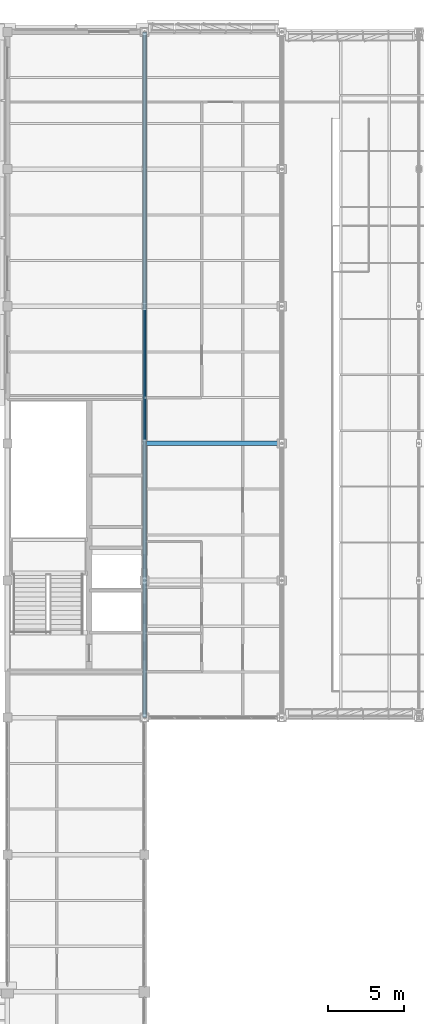
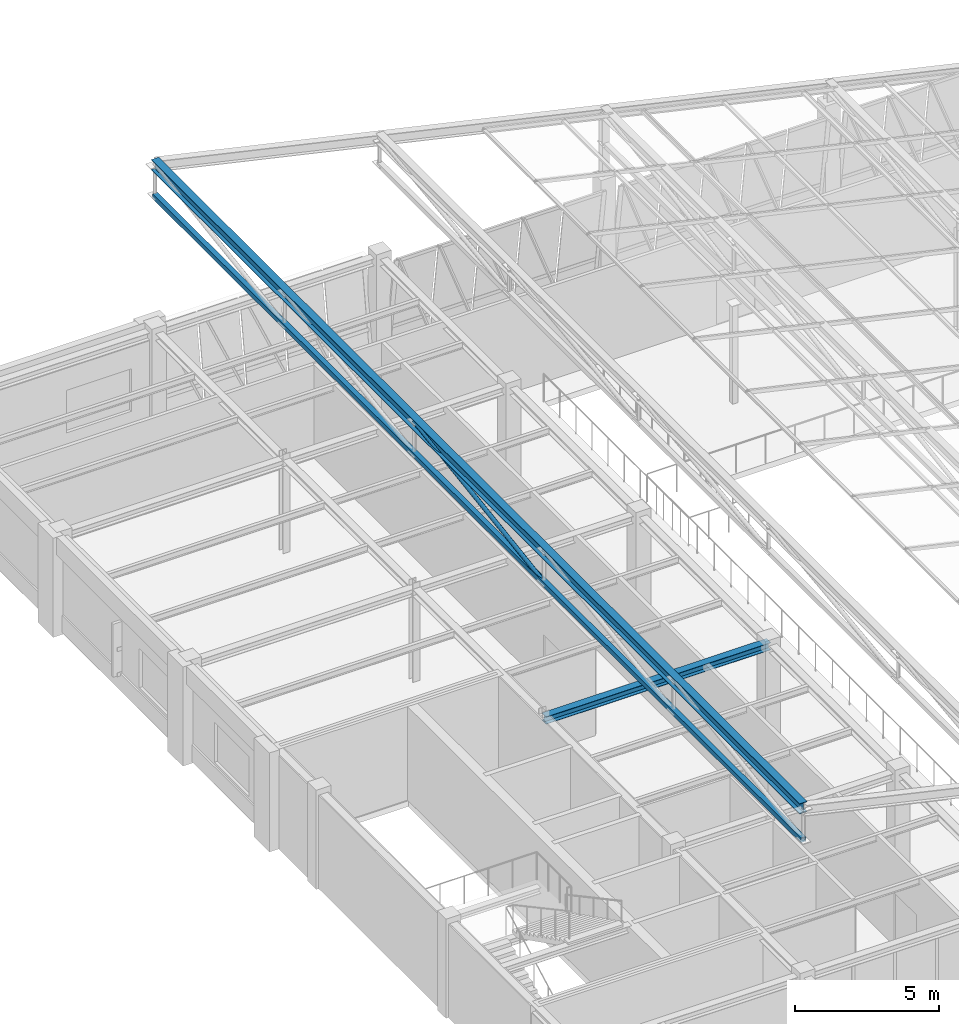
# One storey, part 66 of 130: 3 members, 1 beam.
"""IFC4 building model written with IfcOpenShell, lengths in metres."""

from ifc_helpers import new_model, si_unit, direction, frame, origin, origin_2d, place, context, subcontext, project, spatial, hollow_rectangle, hollow_circle, i_section, extrude, material, material_profile, profile_set, type_object, element, save


model = new_model("IFC4")

# Units and contexts
model_context = context("Model", 3, precision=1e-05, world=origin(), true_north=direction((0.0, 1.0)))
body_context = subcontext(model_context, "Body", "Model", "MODEL_VIEW")
ifc_project = project(units=[si_unit("LENGTHUNIT", "METRE"), si_unit("AREAUNIT", "SQUARE_METRE"), si_unit("VOLUMEUNIT", "CUBIC_METRE"), si_unit("PLANEANGLEUNIT", "RADIAN"), si_unit("MASSUNIT", "GRAM", prefix="KILO")], contexts=[model_context])

# Site, building, storey
site_placement = place(None, origin())
site = spatial("IfcSite", under=ifc_project, at=site_placement, CompositionType="ELEMENT")
building_placement = place(site_placement, origin())
building = spatial("IfcBuilding", under=site, at=building_placement, Name="Lykobir Media Centre", CompositionType="ELEMENT")
storey_placement = place(building_placement, frame((0.0, 0.0, 19.199951171875)))
storey = spatial("IfcBuildingStorey", under=building, at=storey_placement, Name="L04", CompositionType="ELEMENT", Elevation=19.199951171875)

# Beam
ifc_material = material(Name="Steel S355", Category="steel")
ifc_material_profile_1 = material_profile(ifc_material, i_section(OverallWidth=0.300048828125, OverallDepth=0.31005859375, WebThickness=0.009033203125, FlangeThickness=0.015380859375, at=origin_2d()), Name="HEA 320")
ifc_profile_set_1 = profile_set([ifc_material_profile_1], Name="Steel S355")
beam_type = type_object("IfcBeamType", Name="BM-HEA320", PredefinedType="BEAM", material=ifc_profile_set_1)
beam_placement = place(storey_placement, frame((36.0, 81.0, 3.804931640625), z_axis=(1.0, 0.0, 0.0), x_axis=(0.0, 1.0, 0.0)))
element("IfcBeam", 1, at=beam_placement, inside=storey, type_object=beam_type, Name="Beam BM-L04-0360-0810-0450-0810-2300", PredefinedType="BEAM", context=body_context, shape_type="SweptSolid", body=[
    extrude(i_section(OverallWidth=0.300048828125, OverallDepth=0.31005859375, WebThickness=0.009033203125, FlangeThickness=0.015380859375, at=origin_2d()), origin(), (0.0, 0.0, 1.0), 9.0),
])

# Members
ifc_material_profile_2 = material_profile(ifc_material, hollow_circle(Radius=0.084228515625, WallThickness=0.010009765625, at=origin_2d()), Name="CHS 168.3x10.0")
ifc_profile_set_2 = profile_set([ifc_material_profile_2], Name="Steel S355")
member_type_1 = type_object("IfcMemberType", Name="BR-CHS168", PredefinedType="BRACE", material=ifc_profile_set_2)
member_1_placement = place(storey_placement, frame((36.0, 81.0, 9.590087890625), z_axis=(0.0, 0.988938714016, 0.148324711095), x_axis=(-1.0, 0.0, 0.0)))
element("IfcMember", 2, at=member_1_placement, inside=storey, type_object=member_type_1, Name="Diagonal brace MEM2-L04-0360-0810-0288-0360-0900-0438", PredefinedType="BRACE", context=body_context, shape_type="SweptSolid", body=[
    extrude(hollow_circle(Radius=0.084228515625, WallThickness=0.010009765625, at=origin_2d()), origin(), (0.0, 0.0, 1.0), 9.1005859375),
])
ifc_material_profile_3 = material_profile(ifc_material, i_section(OverallWidth=0.300048828125, OverallDepth=0.43994140625, WebThickness=0.011474609375, FlangeThickness=0.02099609375, at=origin_2d()), Name="HEA 450")
ifc_profile_set_3 = profile_set([ifc_material_profile_3], Name="Steel S355")
member_type_2 = type_object("IfcMemberType", Name="TC-HEA450", PredefinedType="CHORD", material=ifc_profile_set_3)
member_2_placement = place(storey_placement, frame((36.0, 63.0, 10.93994140625), z_axis=(0.0, 1.0, 0.0), x_axis=(-1.0, 0.0, 0.0)))
element("IfcMember", 3, at=member_2_placement, inside=storey, type_object=member_type_2, Name="Truss chord MEM2-L04-0360-0630-0301-0360-1080-0431", PredefinedType="CHORD", context=body_context, shape_type="SweptSolid", body=[
    extrude(i_section(OverallWidth=0.300048828125, OverallDepth=0.43994140625, WebThickness=0.011474609375, FlangeThickness=0.02099609375, at=origin_2d()), origin(), (0.0, 0.0, 1.0), 45.0),
])
ifc_material_profile_4 = material_profile(ifc_material, hollow_rectangle(XDim=0.199951171875, YDim=0.199951171875, WallThickness=0.010009765625, at=origin_2d()), Name="SHS 200x200x10")
ifc_profile_set_4 = profile_set([ifc_material_profile_4], Name="Steel S355")
member_type_3 = type_object("IfcMemberType", Name="TC-SHS200", PredefinedType="CHORD", material=ifc_profile_set_4)
member_3_placement = place(storey_placement, frame((36.0, 63.0, 9.590087890625), z_axis=(0.0, 1.0, 0.0), x_axis=(-1.0, 0.0, 0.0)))
element("IfcMember", 4, at=member_3_placement, inside=storey, type_object=member_type_3, Name="Truss chord MEM2-L04-0360-0630-0288-0360-1080-0432", PredefinedType="CHORD", context=body_context, shape_type="SweptSolid", body=[
    extrude(hollow_rectangle(XDim=0.199951171875, YDim=0.199951171875, WallThickness=0.010009765625, at=origin_2d()), origin(), (0.0, 0.0, 1.0), 45.0),
])

save(model, "model.ifc")
